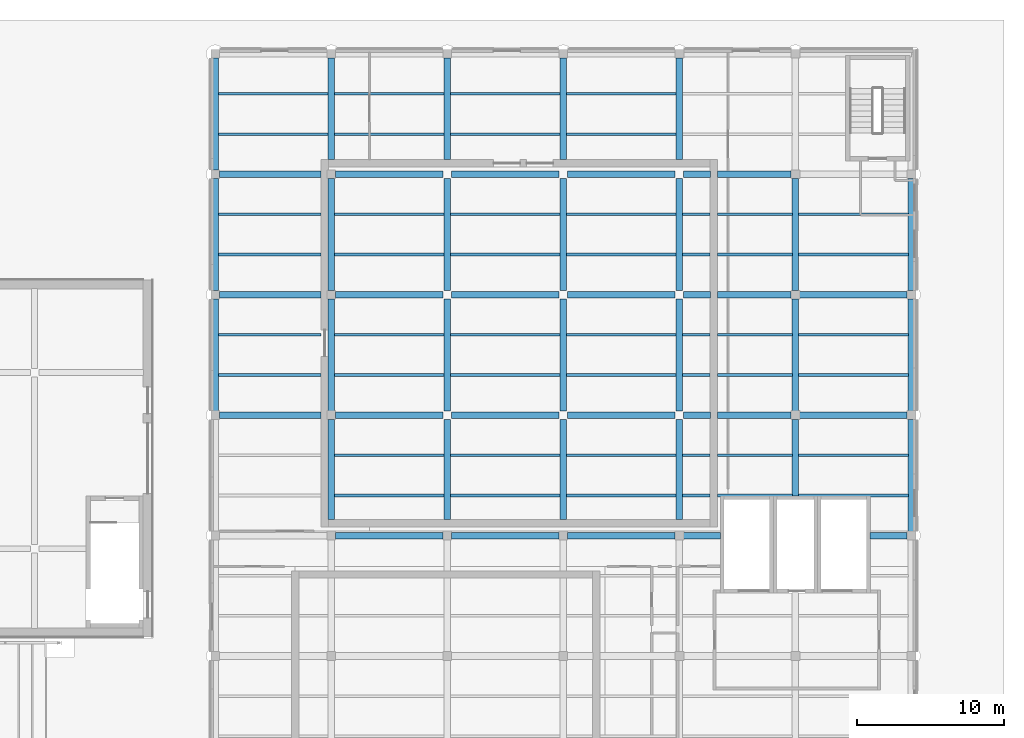
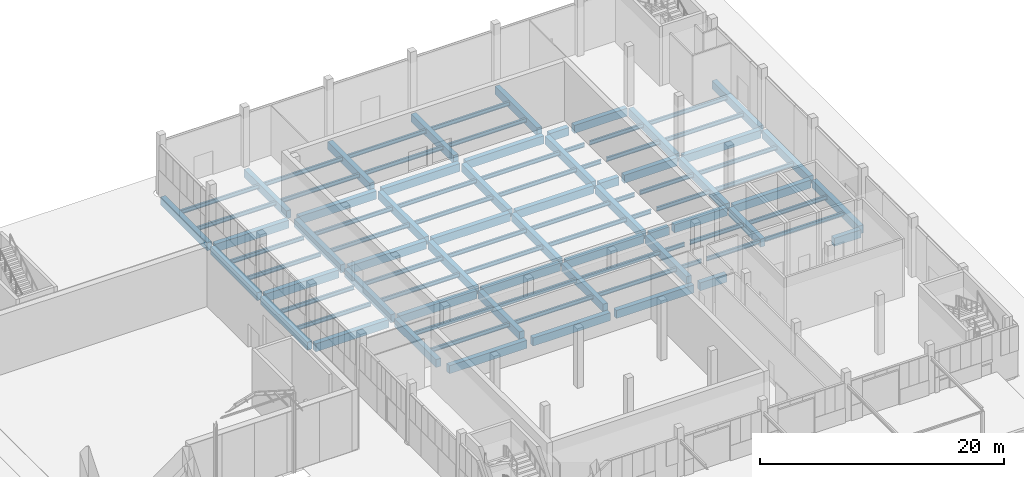
# One storey, part 61 of 155: 98 beams.
"""IFC4 building model written with IfcOpenShell, lengths in metres."""

import ifcopenshell
import ifcopenshell.guid

model = None  # the IFC model being written
_history = None  # IfcOwnerHistory: only IFC2X3 demands one
_inside = {}  # id of a spatial element -> (the spatial element, [elements in it])
_under = {}  # id of a project, library or spatial element -> (it, [spatial elements below it])
_declared = {}  # id of a project -> (the project, [libraries it declares])
_typed = {}  # id of a type object -> (the type object, [elements of that type])
_made_of = {}  # id of a material, layer set ... -> (it, [elements and type objects made of it])


def new_model(schema):
    """Start an empty IFC model of exactly this schema.

    Asked for "IFC4X3", IfcOpenShell would pick the latest addendum, in which some entities
    have other attributes; the version numbers below select the first issue.
    IFC2X3 requires an IfcOwnerHistory on every rooted entity: one is made here for all.
    """
    global model, _history
    if schema == "IFC4X3":
        model = ifcopenshell.file(schema_version=(4, 3, 0, 0))
    else:
        model = ifcopenshell.file(schema=schema)
    _inside.clear()
    _under.clear()
    _declared.clear()
    _typed.clear()
    _made_of.clear()
    _history = None
    if model.schema == "IFC2X3":
        org = make("IfcOrganization", Name="unknown")
        user = make(
            "IfcPersonAndOrganization",
            ThePerson=make("IfcPerson", FamilyName="unknown"),
            TheOrganization=org,
        )
        app = make(
            "IfcApplication",
            ApplicationDeveloper=org,
            Version="unknown",
            ApplicationFullName="unknown",
            ApplicationIdentifier="unknown",
        )
        _history = make(
            "IfcOwnerHistory",
            OwningUser=user,
            OwningApplication=app,
            ChangeAction="ADDED",
            CreationDate=0,
        )
    return model


def make(cls, **values):
    """One entity of the class cls with the attributes given. An attribute that is None is left unset."""
    return model.create_entity(
        cls, **{name: value for name, value in values.items() if value is not None}
    )


def rooted(cls, **values):
    """An entity with a GlobalId (a new one), such as an element, a storey or a relation."""
    return make(cls, GlobalId=ifcopenshell.guid.new(), OwnerHistory=_history, **values)


def si_unit(unit_type, name, prefix=None):
    """IfcSIUnit, for example si_unit("LENGTHUNIT", "METRE", prefix="MILLI")."""
    return make("IfcSIUnit", UnitType=unit_type, Prefix=prefix, Name=name)


def assignment(units):
    """IfcUnitAssignment: the units of a project."""
    return None if units is None else make("IfcUnitAssignment", Units=units)


def point(xyz):
    """IfcCartesianPoint."""
    return None if xyz is None else make("IfcCartesianPoint", Coordinates=xyz)


def direction(xyz):
    """IfcDirection."""
    return None if xyz is None else make("IfcDirection", DirectionRatios=xyz)


def frame(location, z_axis=None, x_axis=None):
    """IfcAxis2Placement3D, a coordinate frame: its origin and axes. An axis left out is left unset."""
    return make(
        "IfcAxis2Placement3D",
        Location=point(location),
        Axis=direction(z_axis),
        RefDirection=direction(x_axis),
    )


def frame_2d(location, x_axis=None):
    """IfcAxis2Placement2D, a coordinate frame in the plane: its origin and x axis."""
    return make(
        "IfcAxis2Placement2D", Location=point(location), RefDirection=direction(x_axis)
    )


def origin():
    """The frame at (0, 0, 0) with its axes left unset."""
    return frame((0.0, 0.0, 0.0))


def origin_2d():
    """The frame at (0, 0) in the plane with its x axis left unset."""
    return frame_2d((0.0, 0.0))


def place(relative_to, where):
    """IfcLocalPlacement: puts the frame where relative to a parent placement (None: the world)."""
    return make(
        "IfcLocalPlacement", PlacementRelTo=relative_to, RelativePlacement=where
    )


def context(
    kind, dimensions, precision=None, world=None, true_north=None, identifier=None
):
    """IfcGeometricRepresentationContext, for example the 3D "Model" context."""
    return make(
        "IfcGeometricRepresentationContext",
        ContextIdentifier=identifier,
        ContextType=kind,
        CoordinateSpaceDimension=dimensions,
        Precision=precision,
        WorldCoordinateSystem=world,
        TrueNorth=true_north,
    )


def subcontext(parent, identifier, kind, view, scale=None):
    """IfcGeometricRepresentationSubContext, for example "Body" below "Model"."""
    return make(
        "IfcGeometricRepresentationSubContext",
        ContextIdentifier=identifier,
        ContextType=kind,
        ParentContext=parent,
        TargetScale=scale,
        TargetView=view,
    )


def project(units=None, contexts=None):
    """IfcProject with its units and contexts."""
    return rooted(
        "IfcProject",
        Name="project",
        RepresentationContexts=contexts,
        UnitsInContext=assignment(units),
    )


def spatial(cls, under=None, at=None, **own):
    """A site, building, storey or space (cls), placed at a placement, below another one or the project."""
    s = rooted(cls, ObjectPlacement=at, **own)
    if under is not None:
        _under.setdefault(under.id(), (under, []))[1].append(s)
    return s


def profile(cls, at=None, kind="AREA", **sizes):
    """A parametric profile (cls). Its sizes go by their IFC names, for example OverallWidth=200.0."""
    return make(cls, ProfileType=kind, Position=at, **sizes)


def rectangle(**sizes):
    """IfcRectangleProfileDef."""
    return profile("IfcRectangleProfileDef", **sizes)


def i_section(**sizes):
    """IfcIShapeProfileDef."""
    return profile("IfcIShapeProfileDef", **sizes)


def extrude(swept, where, along, depth):
    """IfcExtrudedAreaSolid: the profile swept, set in the frame where, extruded along a direction by depth."""
    return make(
        "IfcExtrudedAreaSolid",
        SweptArea=swept,
        Position=where,
        ExtrudedDirection=direction(along),
        Depth=depth,
    )


def shape(context_of_items, identifier, shape_type, items):
    """IfcShapeRepresentation: the items that make up one representation, for example the "Body"."""
    return make(
        "IfcShapeRepresentation",
        ContextOfItems=context_of_items,
        RepresentationIdentifier=identifier,
        RepresentationType=shape_type,
        Items=items,
    )


def material(Name=None, Category=None):
    """IfcMaterial."""
    return make("IfcMaterial", Name=Name, Category=Category)


def material_profile(
    of_material, cross_section, Name=None, Category=None, Priority=None
):
    """IfcMaterialProfile: a cross section and its material."""
    return make(
        "IfcMaterialProfile",
        Name=Name,
        Material=of_material,
        Profile=cross_section,
        Priority=Priority,
        Category=Category,
    )


def profile_set(profiles, Name=None, composite=None):
    """IfcMaterialProfileSet."""
    return make(
        "IfcMaterialProfileSet",
        Name=Name,
        MaterialProfiles=profiles,
        CompositeProfile=composite,
    )


def made_of(thing, what):
    """Note that an element or type object is made of a material, layer set ...; save() writes the relation."""
    if what is not None:
        _made_of.setdefault(what.id(), (what, []))[1].append(thing)
    return thing


def type_object(cls, material=None, **own):
    """A type object (cls), such as IfcWallType, which elements share."""
    return made_of(rooted(cls, **own), material)


def element(
    cls,
    number,
    at=None,
    inside=None,
    cuts=None,
    type_object=None,
    material=None,
    context=None,
    identifier="Body",
    shape_type=None,
    held_by="IfcProductDefinitionShape",
    body=None,
    shapes=None,
    **own,
):
    """One element of the class cls, such as IfcWall. Its Tag is "e" and its number.

    at: its placement. inside: the storey or other place that contains it. cuts: it is an
    opening in that element (IfcRelVoidsElement). A single representation is given by context,
    identifier, shape_type and body (its items); several are given by shapes. held_by: the class
    of the entity that holds the representations. save() writes the other relations.
    """
    e = rooted(cls, Tag="e%d" % number, ObjectPlacement=at, **own)
    if body is not None:
        shapes = [shape(context, identifier, shape_type, body)]
    if shapes is not None:
        e.Representation = make(held_by, Representations=shapes)
    if inside is not None:
        _inside.setdefault(inside.id(), (inside, []))[1].append(e)
    if cuts is not None:
        rooted(
            "IfcRelVoidsElement", RelatingBuildingElement=cuts, RelatedOpeningElement=e
        )
    if type_object is not None:
        _typed.setdefault(type_object.id(), (type_object, []))[1].append(e)
    return made_of(e, material)


def aggregate(whole, parts):
    """IfcRelAggregates: a whole, such as a stair, and the parts it consists of."""
    return rooted("IfcRelAggregates", RelatingObject=whole, RelatedObjects=parts)


def save(model, path):
    """Write the relations noted so far, then the file.

    IfcRelAggregates (storeys below a building ...), IfcRelContainedInSpatialStructure (elements
    in a storey), IfcRelDefinesByType, IfcRelAssociatesMaterial and IfcRelDeclares: one each for
    every whole, place, type object, material and project.
    """
    for whole, parts in _under.values():
        aggregate(whole, parts)
    for where, things in _inside.values():
        rooted(
            "IfcRelContainedInSpatialStructure",
            RelatedElements=things,
            RelatingStructure=where,
        )
    for kind, things in _typed.values():
        rooted("IfcRelDefinesByType", RelatedObjects=things, RelatingType=kind)
    for what, things in _made_of.values():
        rooted("IfcRelAssociatesMaterial", RelatedObjects=things, RelatingMaterial=what)
    for by, libraries in _declared.values():
        rooted("IfcRelDeclares", RelatingContext=by, RelatedDefinitions=libraries)
    model.write(path)


model = new_model("IFC4")

# Units and contexts
model_context = context("Model", 3, precision=1e-05, world=origin(), true_north=direction((0.0, 1.0)))
body_context = subcontext(model_context, "Body", "Model", "MODEL_VIEW")
ifc_project = project(units=[si_unit("LENGTHUNIT", "METRE"), si_unit("AREAUNIT", "SQUARE_METRE"), si_unit("VOLUMEUNIT", "CUBIC_METRE"), si_unit("PLANEANGLEUNIT", "RADIAN"), si_unit("MASSUNIT", "GRAM", prefix="KILO")], contexts=[model_context])

# Site, building, storey
site_placement = place(None, origin())
site = spatial("IfcSite", under=ifc_project, at=site_placement, CompositionType="ELEMENT")
building_placement = place(site_placement, origin())
building = spatial("IfcBuilding", under=site, at=building_placement, Name="Lunette Opera House", CompositionType="ELEMENT")
storey_placement = place(building_placement, origin())
storey = spatial("IfcBuildingStorey", under=building, at=storey_placement, Name="L00", CompositionType="ELEMENT", Elevation=0.0)

# Beams
ifc_material_1 = material(Name="Concrete C35/45", Category="concrete")
ifc_material_profile_1 = material_profile(ifc_material_1, rectangle(XDim=0.449951171875, YDim=0.800048828125, at=origin_2d()), Name="RC BEAM 450X800")
ifc_profile_set_1 = profile_set([ifc_material_profile_1], Name="Concrete C35/45")
beam_type_1 = type_object("IfcBeamType", Name="RC BEAM 450X800", PredefinedType="BEAM", material=ifc_profile_set_1)
beam_1_placement = place(storey_placement, frame((136.300048828125, 111.389892578125, -0.550048828125), z_axis=(0.0, 1.0, 0.0), x_axis=(-1.0, 0.0, 0.0)))
element("IfcBeam", 1, at=beam_1_placement, inside=storey, type_object=beam_type_1, Name="beam-WW-L00-L00-GY04", PredefinedType="BEAM", context=body_context, shape_type="SweptSolid", body=[
    extrude(rectangle(XDim=0.449951171875, YDim=0.800048828125, at=origin_2d()), origin(), (0.0, 0.0, 1.0), 7.6201171875),
])
for number, where, z_axis, x_axis, name in (
    (2, (136.300048828125, 119.590087890625, -0.550048828125), (0.0, 1.0, 0.0), (-1.0, 0.0, 0.0), "beam-WW-L00-L00-GY05"),
    (3, (136.300048828125, 127.7900390625, -0.550048828125), (0.0, 1.0, 0.0), (-1.0, 0.0, 0.0), "beam-WW-L00-L00-GY06"),
):
    element("IfcBeam", number, at=place(storey_placement, frame(where, z_axis=z_axis, x_axis=x_axis)), inside=storey, type_object=beam_type_1, Name=name, PredefinedType="BEAM", context=body_context, shape_type="SweptSolid", body=[
        extrude(rectangle(XDim=0.449951171875, YDim=0.800048828125, at=origin_2d()), origin(), (0.0, 0.0, 1.0), 7.619873046875),
    ])
beam_2_placement = place(storey_placement, frame((144.199951171875, 103.989990234375, -0.550048828125), z_axis=(0.0, 1.0, 0.0), x_axis=(-1.0, 0.0, 0.0)))
element("IfcBeam", 4, at=beam_2_placement, inside=storey, type_object=beam_type_1, Name="beam-WW-L00-L00-GY13", PredefinedType="BEAM", context=body_context, shape_type="SweptSolid", body=[
    extrude(rectangle(XDim=0.449951171875, YDim=0.800048828125, at=origin_2d()), origin(), (0.0, 0.0, 1.0), 6.820068359375),
])
beam_3_placement = place(storey_placement, frame((144.199951171875, 111.389892578125, -0.550048828125), z_axis=(0.0, 1.0, 0.0), x_axis=(-1.0, 0.0, 0.0)))
element("IfcBeam", 5, at=beam_3_placement, inside=storey, type_object=beam_type_1, Name="beam-WW-L00-L00-GY14", PredefinedType="BEAM", context=body_context, shape_type="SweptSolid", body=[
    extrude(rectangle(XDim=0.449951171875, YDim=0.800048828125, at=origin_2d()), origin(), (0.0, 0.0, 1.0), 7.6201171875),
])
beam_4_placement = place(storey_placement, frame((144.199951171875, 119.590087890625, -0.550048828125), z_axis=(0.0, 1.0, 0.0), x_axis=(-1.0, 0.0, 0.0)))
element("IfcBeam", 6, at=beam_4_placement, inside=storey, type_object=beam_type_1, Name="beam-WW-L00-L00-GY15", PredefinedType="BEAM", context=body_context, shape_type="SweptSolid", body=[
    extrude(rectangle(XDim=0.449951171875, YDim=0.800048828125, at=origin_2d()), origin(), (0.0, 0.0, 1.0), 7.619873046875),
])
beam_5_placement = place(storey_placement, frame((144.199951171875, 128.489990234375, -0.550048828125), z_axis=(0.0, 1.0, 0.0), x_axis=(-1.0, 0.0, 0.0)))
element("IfcBeam", 7, at=beam_5_placement, inside=storey, type_object=beam_type_1, Name="beam-WW-L00-L00-GY16", PredefinedType="BEAM", context=body_context, shape_type="SweptSolid", body=[
    extrude(rectangle(XDim=0.449951171875, YDim=0.800048828125, at=origin_2d()), origin(), (0.0, 0.0, 1.0), 6.919921875),
])
beam_6_placement = place(storey_placement, frame((152.10009765625, 103.989990234375, -0.550048828125), z_axis=(0.0, 1.0, 0.0), x_axis=(-1.0, 0.0, 0.0)))
element("IfcBeam", 8, at=beam_6_placement, inside=storey, type_object=beam_type_1, Name="beam-WW-L00-L00-GY23", PredefinedType="BEAM", context=body_context, shape_type="SweptSolid", body=[
    extrude(rectangle(XDim=0.449951171875, YDim=0.800048828125, at=origin_2d()), origin(), (0.0, 0.0, 1.0), 6.820068359375),
])
beam_7_placement = place(storey_placement, frame((152.10009765625, 111.389892578125, -0.550048828125), z_axis=(0.0, 1.0, 0.0), x_axis=(-1.0, 0.0, 0.0)))
element("IfcBeam", 9, at=beam_7_placement, inside=storey, type_object=beam_type_1, Name="beam-WW-L00-L00-GY24", PredefinedType="BEAM", context=body_context, shape_type="SweptSolid", body=[
    extrude(rectangle(XDim=0.449951171875, YDim=0.800048828125, at=origin_2d()), origin(), (0.0, 0.0, 1.0), 7.6201171875),
])
beam_8_placement = place(storey_placement, frame((152.10009765625, 119.590087890625, -0.550048828125), z_axis=(0.0, 1.0, 0.0), x_axis=(-1.0, 0.0, 0.0)))
element("IfcBeam", 10, at=beam_8_placement, inside=storey, type_object=beam_type_1, Name="beam-WW-L00-L00-GY25", PredefinedType="BEAM", context=body_context, shape_type="SweptSolid", body=[
    extrude(rectangle(XDim=0.449951171875, YDim=0.800048828125, at=origin_2d()), origin(), (0.0, 0.0, 1.0), 7.619873046875),
])
beam_9_placement = place(storey_placement, frame((152.10009765625, 128.489990234375, -0.550048828125), z_axis=(0.0, 1.0, 0.0), x_axis=(-1.0, 0.0, 0.0)))
element("IfcBeam", 11, at=beam_9_placement, inside=storey, type_object=beam_type_1, Name="beam-WW-L00-L00-GY26", PredefinedType="BEAM", context=body_context, shape_type="SweptSolid", body=[
    extrude(rectangle(XDim=0.449951171875, YDim=0.800048828125, at=origin_2d()), origin(), (0.0, 0.0, 1.0), 6.919921875),
])
beam_10_placement = place(storey_placement, frame((160.0, 103.989990234375, -0.550048828125), z_axis=(0.0, 1.0, 0.0), x_axis=(-1.0, 0.0, 0.0)))
element("IfcBeam", 12, at=beam_10_placement, inside=storey, type_object=beam_type_1, Name="beam-WW-L00-L00-GY33", PredefinedType="BEAM", context=body_context, shape_type="SweptSolid", body=[
    extrude(rectangle(XDim=0.449951171875, YDim=0.800048828125, at=origin_2d()), origin(), (0.0, 0.0, 1.0), 6.820068359375),
])
beam_11_placement = place(storey_placement, frame((160.0, 111.389892578125, -0.550048828125), z_axis=(0.0, 1.0, 0.0), x_axis=(-1.0, 0.0, 0.0)))
element("IfcBeam", 13, at=beam_11_placement, inside=storey, type_object=beam_type_1, Name="beam-WW-L00-L00-GY34", PredefinedType="BEAM", context=body_context, shape_type="SweptSolid", body=[
    extrude(rectangle(XDim=0.449951171875, YDim=0.800048828125, at=origin_2d()), origin(), (0.0, 0.0, 1.0), 7.6201171875),
])
beam_12_placement = place(storey_placement, frame((160.0, 119.590087890625, -0.550048828125), z_axis=(0.0, 1.0, 0.0), x_axis=(-1.0, 0.0, 0.0)))
element("IfcBeam", 14, at=beam_12_placement, inside=storey, type_object=beam_type_1, Name="beam-WW-L00-L00-GY35", PredefinedType="BEAM", context=body_context, shape_type="SweptSolid", body=[
    extrude(rectangle(XDim=0.449951171875, YDim=0.800048828125, at=origin_2d()), origin(), (0.0, 0.0, 1.0), 7.619873046875),
])
beam_13_placement = place(storey_placement, frame((160.0, 128.489990234375, -0.550048828125), z_axis=(0.0, 1.0, 0.0), x_axis=(-1.0, 0.0, 0.0)))
element("IfcBeam", 15, at=beam_13_placement, inside=storey, type_object=beam_type_1, Name="beam-WW-L00-L00-GY36", PredefinedType="BEAM", context=body_context, shape_type="SweptSolid", body=[
    extrude(rectangle(XDim=0.449951171875, YDim=0.800048828125, at=origin_2d()), origin(), (0.0, 0.0, 1.0), 6.919921875),
])
beam_14_placement = place(storey_placement, frame((167.89990234375, 103.989990234375, -0.550048828125), z_axis=(0.0, 1.0, 0.0), x_axis=(-1.0, 0.0, 0.0)))
element("IfcBeam", 16, at=beam_14_placement, inside=storey, type_object=beam_type_1, Name="beam-WW-L00-L00-GY43", PredefinedType="BEAM", context=body_context, shape_type="SweptSolid", body=[
    extrude(rectangle(XDim=0.449951171875, YDim=0.800048828125, at=origin_2d()), origin(), (0.0, 0.0, 1.0), 6.820068359375),
])
beam_15_placement = place(storey_placement, frame((167.89990234375, 111.389892578125, -0.550048828125), z_axis=(0.0, 1.0, 0.0), x_axis=(-1.0, 0.0, 0.0)))
element("IfcBeam", 17, at=beam_15_placement, inside=storey, type_object=beam_type_1, Name="beam-WW-L00-L00-GY44", PredefinedType="BEAM", context=body_context, shape_type="SweptSolid", body=[
    extrude(rectangle(XDim=0.449951171875, YDim=0.800048828125, at=origin_2d()), origin(), (0.0, 0.0, 1.0), 7.6201171875),
])
beam_16_placement = place(storey_placement, frame((167.89990234375, 119.590087890625, -0.550048828125), z_axis=(0.0, 1.0, 0.0), x_axis=(-1.0, 0.0, 0.0)))
element("IfcBeam", 18, at=beam_16_placement, inside=storey, type_object=beam_type_1, Name="beam-WW-L00-L00-GY45", PredefinedType="BEAM", context=body_context, shape_type="SweptSolid", body=[
    extrude(rectangle(XDim=0.449951171875, YDim=0.800048828125, at=origin_2d()), origin(), (0.0, 0.0, 1.0), 7.619873046875),
])
beam_17_placement = place(storey_placement, frame((167.89990234375, 128.489990234375, -0.550048828125), z_axis=(0.0, 1.0, 0.0), x_axis=(-1.0, 0.0, 0.0)))
element("IfcBeam", 19, at=beam_17_placement, inside=storey, type_object=beam_type_1, Name="beam-WW-L00-L00-GY46", PredefinedType="BEAM", context=body_context, shape_type="SweptSolid", body=[
    extrude(rectangle(XDim=0.449951171875, YDim=0.800048828125, at=origin_2d()), origin(), (0.0, 0.0, 1.0), 6.919921875),
])
beam_18_placement = place(storey_placement, frame((175.800048828125, 105.590087890625, -0.550048828125), z_axis=(0.0, 1.0, 0.0), x_axis=(-1.0, 0.0, 0.0)))
element("IfcBeam", 20, at=beam_18_placement, inside=storey, type_object=beam_type_1, Name="beam-WW-L00-L00-GY53", PredefinedType="BEAM", context=body_context, shape_type="SweptSolid", body=[
    extrude(rectangle(XDim=0.449951171875, YDim=0.800048828125, at=origin_2d()), origin(), (0.0, 0.0, 1.0), 5.219970703125),
])
beam_19_placement = place(storey_placement, frame((175.800048828125, 111.389892578125, -0.550048828125), z_axis=(0.0, 1.0, 0.0), x_axis=(-1.0, 0.0, 0.0)))
element("IfcBeam", 21, at=beam_19_placement, inside=storey, type_object=beam_type_1, Name="beam-WW-L00-L00-GY54", PredefinedType="BEAM", context=body_context, shape_type="SweptSolid", body=[
    extrude(rectangle(XDim=0.449951171875, YDim=0.800048828125, at=origin_2d()), origin(), (0.0, 0.0, 1.0), 7.6201171875),
])
beam_20_placement = place(storey_placement, frame((175.800048828125, 119.590087890625, -0.550048828125), z_axis=(0.0, 1.0, 0.0), x_axis=(-1.0, 0.0, 0.0)))
element("IfcBeam", 22, at=beam_20_placement, inside=storey, type_object=beam_type_1, Name="beam-WW-L00-L00-GY55", PredefinedType="BEAM", context=body_context, shape_type="SweptSolid", body=[
    extrude(rectangle(XDim=0.449951171875, YDim=0.800048828125, at=origin_2d()), origin(), (0.0, 0.0, 1.0), 7.619873046875),
])
for number, where, z_axis, x_axis, name in (
    (23, (183.699951171875, 103.18994140625, -0.550048828125), (0.0, 1.0, 0.0), (-1.0, 0.0, 0.0), "beam-WW-L00-L00-GY63"),
    (24, (183.699951171875, 111.389892578125, -0.550048828125), (0.0, 1.0, 0.0), (-1.0, 0.0, 0.0), "beam-WW-L00-L00-GY64"),
):
    element("IfcBeam", number, at=place(storey_placement, frame(where, z_axis=z_axis, x_axis=x_axis)), inside=storey, type_object=beam_type_1, Name=name, PredefinedType="BEAM", context=body_context, shape_type="SweptSolid", body=[
        extrude(rectangle(XDim=0.449951171875, YDim=0.800048828125, at=origin_2d()), origin(), (0.0, 0.0, 1.0), 7.6201171875),
    ])
beam_21_placement = place(storey_placement, frame((183.699951171875, 119.590087890625, -0.550048828125), z_axis=(0.0, 1.0, 0.0), x_axis=(-1.0, 0.0, 0.0)))
element("IfcBeam", 25, at=beam_21_placement, inside=storey, type_object=beam_type_1, Name="beam-WW-L00-L00-GY65", PredefinedType="BEAM", context=body_context, shape_type="SweptSolid", body=[
    extrude(rectangle(XDim=0.449951171875, YDim=0.800048828125, at=origin_2d()), origin(), (0.0, 0.0, 1.0), 7.619873046875),
])
for number, where, z_axis, x_axis, name in (
    (26, (144.489990234375, 102.89990234375, -0.550048828125), (1.0, 0.0, 0.0), (0.0, 1.0, 0.0), "beam-WW-L00-L00-GX13"),
    (27, (152.389892578125, 102.89990234375, -0.550048828125), (1.0, 0.0, 0.0), (0.0, 1.0, 0.0), "beam-WW-L00-L00-GX23"),
    (28, (160.2900390625, 102.89990234375, -0.550048828125), (1.0, 0.0, 0.0), (0.0, 1.0, 0.0), "beam-WW-L00-L00-GX33"),
):
    element("IfcBeam", number, at=place(storey_placement, frame(where, z_axis=z_axis, x_axis=x_axis)), inside=storey, type_object=beam_type_1, Name=name, PredefinedType="BEAM", context=body_context, shape_type="SweptSolid", body=[
        extrude(rectangle(XDim=0.449951171875, YDim=0.800048828125, at=origin_2d()), origin(), (0.0, 0.0, 1.0), 7.320068359375),
    ])
for number, where, z_axis, x_axis, name in (
    (29, (168.18994140625, 102.89990234375, -0.550048828125), (1.0, 0.0, 0.0), (0.0, 1.0, 0.0), "beam-WW-L00-L00-GX43"),
    (30, (180.889892578125, 102.89990234375, -0.550048828125), (1.0, 0.0, 0.0), (0.0, 1.0, 0.0), "beam-WW-L00-L00-GX53"),
):
    element("IfcBeam", number, at=place(storey_placement, frame(where, z_axis=z_axis, x_axis=x_axis)), inside=storey, type_object=beam_type_1, Name=name, PredefinedType="BEAM", context=body_context, shape_type="SweptSolid", body=[
        extrude(rectangle(XDim=0.449951171875, YDim=0.800048828125, at=origin_2d()), origin(), (0.0, 0.0, 1.0), 2.52001953125),
    ])
beam_22_placement = place(storey_placement, frame((136.590087890625, 111.10009765625, -0.550048828125), z_axis=(1.0, 0.0, 0.0), x_axis=(0.0, 1.0, 0.0)))
element("IfcBeam", 31, at=beam_22_placement, inside=storey, type_object=beam_type_1, Name="beam-WW-L00-L00-GX04", PredefinedType="BEAM", context=body_context, shape_type="SweptSolid", body=[
    extrude(rectangle(XDim=0.449951171875, YDim=0.800048828125, at=origin_2d()), origin(), (0.0, 0.0, 1.0), 6.919921875),
])
for number, where, z_axis, x_axis, name in (
    (32, (144.489990234375, 111.10009765625, -0.550048828125), (1.0, 0.0, 0.0), (0.0, 1.0, 0.0), "beam-WW-L00-L00-GX14"),
    (33, (152.389892578125, 111.10009765625, -0.550048828125), (1.0, 0.0, 0.0), (0.0, 1.0, 0.0), "beam-WW-L00-L00-GX24"),
    (34, (160.2900390625, 111.10009765625, -0.550048828125), (1.0, 0.0, 0.0), (0.0, 1.0, 0.0), "beam-WW-L00-L00-GX34"),
):
    element("IfcBeam", number, at=place(storey_placement, frame(where, z_axis=z_axis, x_axis=x_axis)), inside=storey, type_object=beam_type_1, Name=name, PredefinedType="BEAM", context=body_context, shape_type="SweptSolid", body=[
        extrude(rectangle(XDim=0.449951171875, YDim=0.800048828125, at=origin_2d()), origin(), (0.0, 0.0, 1.0), 7.320068359375),
    ])
beam_23_placement = place(storey_placement, frame((168.18994140625, 111.10009765625, -0.550048828125), z_axis=(1.0, 0.0, 0.0), x_axis=(0.0, 1.0, 0.0)))
element("IfcBeam", 35, at=beam_23_placement, inside=storey, type_object=beam_type_1, Name="beam-WW-L00-L00-GX44", PredefinedType="BEAM", context=body_context, shape_type="SweptSolid", body=[
    extrude(rectangle(XDim=0.449951171875, YDim=0.800048828125, at=origin_2d()), origin(), (0.0, 0.0, 1.0), 1.820068359375),
])
beam_24_placement = place(storey_placement, frame((170.489990234375, 111.10009765625, -0.550048828125), z_axis=(1.0, 0.0, 0.0), x_axis=(0.0, 1.0, 0.0)))
element("IfcBeam", 36, at=beam_24_placement, inside=storey, type_object=beam_type_1, Name="beam-WW-L00-L00-GX44-1", PredefinedType="BEAM", context=body_context, shape_type="SweptSolid", body=[
    extrude(rectangle(XDim=0.449951171875, YDim=0.800048828125, at=origin_2d()), origin(), (0.0, 0.0, 1.0), 5.02001953125),
])
beam_25_placement = place(storey_placement, frame((176.090087890625, 111.10009765625, -0.550048828125), z_axis=(1.0, 0.0, 0.0), x_axis=(0.0, 1.0, 0.0)))
element("IfcBeam", 37, at=beam_25_placement, inside=storey, type_object=beam_type_1, Name="beam-WW-L00-L00-GX54", PredefinedType="BEAM", context=body_context, shape_type="SweptSolid", body=[
    extrude(rectangle(XDim=0.449951171875, YDim=0.800048828125, at=origin_2d()), origin(), (0.0, 0.0, 1.0), 7.31982421875),
])
beam_26_placement = place(storey_placement, frame((136.590087890625, 119.300048828125, -0.550048828125), z_axis=(1.0, 0.0, 0.0), x_axis=(0.0, 1.0, 0.0)))
element("IfcBeam", 38, at=beam_26_placement, inside=storey, type_object=beam_type_1, Name="beam-WW-L00-L00-GX05", PredefinedType="BEAM", context=body_context, shape_type="SweptSolid", body=[
    extrude(rectangle(XDim=0.449951171875, YDim=0.800048828125, at=origin_2d()), origin(), (0.0, 0.0, 1.0), 6.919921875),
])
for number, where, z_axis, x_axis, name in (
    (39, (144.489990234375, 119.300048828125, -0.550048828125), (1.0, 0.0, 0.0), (0.0, 1.0, 0.0), "beam-WW-L00-L00-GX15"),
    (40, (152.389892578125, 119.300048828125, -0.550048828125), (1.0, 0.0, 0.0), (0.0, 1.0, 0.0), "beam-WW-L00-L00-GX25"),
    (41, (160.2900390625, 119.300048828125, -0.550048828125), (1.0, 0.0, 0.0), (0.0, 1.0, 0.0), "beam-WW-L00-L00-GX35"),
):
    element("IfcBeam", number, at=place(storey_placement, frame(where, z_axis=z_axis, x_axis=x_axis)), inside=storey, type_object=beam_type_1, Name=name, PredefinedType="BEAM", context=body_context, shape_type="SweptSolid", body=[
        extrude(rectangle(XDim=0.449951171875, YDim=0.800048828125, at=origin_2d()), origin(), (0.0, 0.0, 1.0), 7.320068359375),
    ])
beam_27_placement = place(storey_placement, frame((168.18994140625, 119.300048828125, -0.550048828125), z_axis=(1.0, 0.0, 0.0), x_axis=(0.0, 1.0, 0.0)))
element("IfcBeam", 42, at=beam_27_placement, inside=storey, type_object=beam_type_1, Name="beam-WW-L00-L00-GX45", PredefinedType="BEAM", context=body_context, shape_type="SweptSolid", body=[
    extrude(rectangle(XDim=0.449951171875, YDim=0.800048828125, at=origin_2d()), origin(), (0.0, 0.0, 1.0), 1.820068359375),
])
beam_28_placement = place(storey_placement, frame((170.489990234375, 119.300048828125, -0.550048828125), z_axis=(1.0, 0.0, 0.0), x_axis=(0.0, 1.0, 0.0)))
element("IfcBeam", 43, at=beam_28_placement, inside=storey, type_object=beam_type_1, Name="beam-WW-L00-L00-GX45-1", PredefinedType="BEAM", context=body_context, shape_type="SweptSolid", body=[
    extrude(rectangle(XDim=0.449951171875, YDim=0.800048828125, at=origin_2d()), origin(), (0.0, 0.0, 1.0), 5.02001953125),
])
beam_29_placement = place(storey_placement, frame((176.090087890625, 119.300048828125, -0.550048828125), z_axis=(1.0, 0.0, 0.0), x_axis=(0.0, 1.0, 0.0)))
element("IfcBeam", 44, at=beam_29_placement, inside=storey, type_object=beam_type_1, Name="beam-WW-L00-L00-GX55", PredefinedType="BEAM", context=body_context, shape_type="SweptSolid", body=[
    extrude(rectangle(XDim=0.449951171875, YDim=0.800048828125, at=origin_2d()), origin(), (0.0, 0.0, 1.0), 7.31982421875),
])
beam_30_placement = place(storey_placement, frame((136.590087890625, 127.5, -0.550048828125), z_axis=(1.0, 0.0, 0.0), x_axis=(0.0, 1.0, 0.0)))
element("IfcBeam", 45, at=beam_30_placement, inside=storey, type_object=beam_type_1, Name="beam-WW-L00-L00-GX06", PredefinedType="BEAM", context=body_context, shape_type="SweptSolid", body=[
    extrude(rectangle(XDim=0.449951171875, YDim=0.800048828125, at=origin_2d()), origin(), (0.0, 0.0, 1.0), 6.919921875),
])
for number, where, z_axis, x_axis, name in (
    (46, (144.489990234375, 127.5, -0.550048828125), (1.0, 0.0, 0.0), (0.0, 1.0, 0.0), "beam-WW-L00-L00-GX16"),
    (47, (152.389892578125, 127.5, -0.550048828125), (1.0, 0.0, 0.0), (0.0, 1.0, 0.0), "beam-WW-L00-L00-GX26"),
    (48, (160.2900390625, 127.5, -0.550048828125), (1.0, 0.0, 0.0), (0.0, 1.0, 0.0), "beam-WW-L00-L00-GX36"),
):
    element("IfcBeam", number, at=place(storey_placement, frame(where, z_axis=z_axis, x_axis=x_axis)), inside=storey, type_object=beam_type_1, Name=name, PredefinedType="BEAM", context=body_context, shape_type="SweptSolid", body=[
        extrude(rectangle(XDim=0.449951171875, YDim=0.800048828125, at=origin_2d()), origin(), (0.0, 0.0, 1.0), 7.320068359375),
    ])
beam_31_placement = place(storey_placement, frame((168.18994140625, 127.5, -0.550048828125), z_axis=(1.0, 0.0, 0.0), x_axis=(0.0, 1.0, 0.0)))
element("IfcBeam", 49, at=beam_31_placement, inside=storey, type_object=beam_type_1, Name="beam-WW-L00-L00-GX46", PredefinedType="BEAM", context=body_context, shape_type="SweptSolid", body=[
    extrude(rectangle(XDim=0.449951171875, YDim=0.800048828125, at=origin_2d()), origin(), (0.0, 0.0, 1.0), 1.820068359375),
])
beam_32_placement = place(storey_placement, frame((170.489990234375, 127.5, -0.550048828125), z_axis=(1.0, 0.0, 0.0), x_axis=(0.0, 1.0, 0.0)))
element("IfcBeam", 50, at=beam_32_placement, inside=storey, type_object=beam_type_1, Name="beam-WW-L00-L00-GX46-1", PredefinedType="BEAM", context=body_context, shape_type="SweptSolid", body=[
    extrude(rectangle(XDim=0.449951171875, YDim=0.800048828125, at=origin_2d()), origin(), (0.0, 0.0, 1.0), 5.02001953125),
])
ifc_material_2 = material(Name="Steel S355", Category="steel")
ifc_material_profile_2 = material_profile(ifc_material_2, i_section(OverallWidth=0.179931640625, OverallDepth=0.39990234375, WebThickness=0.008544921875, FlangeThickness=0.013427734375, FilletRadius=0.02099609375, at=origin_2d()), Name="IPE 400")
ifc_profile_set_2 = profile_set([ifc_material_profile_2], Name="Steel S355")
beam_type_2 = type_object("IfcBeamType", Name="STEEL BEAM IPE 400", PredefinedType="BEAM", material=ifc_profile_set_2)
for number, where, z_axis, x_axis, name in (
    (51, (136.514892578125, 113.8330078125, -0.35009765625), (1.0, 0.0, 0.0), (0.0, 1.0, 0.0), "beam-WW-L00-L00-SX041"),
    (52, (136.514892578125, 116.56689453125, -0.35009765625), (1.0, 0.0, 0.0), (0.0, 1.0, 0.0), "beam-WW-L00-L00-SX042"),
    (53, (136.514892578125, 122.032958984375, -0.35009765625), (1.0, 0.0, 0.0), (0.0, 1.0, 0.0), "beam-WW-L00-L00-SX051"),
    (54, (136.514892578125, 124.76708984375, -0.35009765625), (1.0, 0.0, 0.0), (0.0, 1.0, 0.0), "beam-WW-L00-L00-SX052"),
):
    element("IfcBeam", number, at=place(storey_placement, frame(where, z_axis=z_axis, x_axis=x_axis)), inside=storey, type_object=beam_type_2, Name=name, PredefinedType="BEAM", context=body_context, shape_type="SweptSolid", body=[
        extrude(i_section(OverallWidth=0.179931640625, OverallDepth=0.39990234375, WebThickness=0.008544921875, FlangeThickness=0.013427734375, FilletRadius=0.02099609375, at=origin_2d()), origin(), (0.0, 0.0, 1.0), 6.985107421875),
    ])
for number, where, z_axis, x_axis, name in (
    (55, (136.514892578125, 130.23291015625, -0.35009765625), (1.0, 0.0, 0.0), (0.0, 1.0, 0.0), "beam-WW-L00-L00-SX061"),
    (56, (136.514892578125, 132.967041015625, -0.35009765625), (1.0, 0.0, 0.0), (0.0, 1.0, 0.0), "beam-WW-L00-L00-SX062"),
):
    element("IfcBeam", number, at=place(storey_placement, frame(where, z_axis=z_axis, x_axis=x_axis)), inside=storey, type_object=beam_type_2, Name=name, PredefinedType="BEAM", context=body_context, shape_type="SweptSolid", body=[
        extrude(i_section(OverallWidth=0.179931640625, OverallDepth=0.39990234375, WebThickness=0.008544921875, FlangeThickness=0.013427734375, FilletRadius=0.02099609375, at=origin_2d()), origin(), (0.0, 0.0, 1.0), 7.47021484375),
    ])
for number, where, z_axis, x_axis, name in (
    (57, (144.4150390625, 105.633056640625, -0.35009765625), (1.0, 0.0, 0.0), (0.0, 1.0, 0.0), "beam-WW-L00-L00-SX131"),
    (58, (144.4150390625, 108.366943359375, -0.35009765625), (1.0, 0.0, 0.0), (0.0, 1.0, 0.0), "beam-WW-L00-L00-SX132"),
    (59, (144.4150390625, 113.8330078125, -0.35009765625), (1.0, 0.0, 0.0), (0.0, 1.0, 0.0), "beam-WW-L00-L00-SX141"),
    (60, (144.4150390625, 116.56689453125, -0.35009765625), (1.0, 0.0, 0.0), (0.0, 1.0, 0.0), "beam-WW-L00-L00-SX142"),
    (61, (144.4150390625, 122.032958984375, -0.35009765625), (1.0, 0.0, 0.0), (0.0, 1.0, 0.0), "beam-WW-L00-L00-SX151"),
    (62, (144.4150390625, 124.76708984375, -0.35009765625), (1.0, 0.0, 0.0), (0.0, 1.0, 0.0), "beam-WW-L00-L00-SX152"),
    (63, (144.4150390625, 130.23291015625, -0.35009765625), (1.0, 0.0, 0.0), (0.0, 1.0, 0.0), "beam-WW-L00-L00-SX161"),
    (64, (144.4150390625, 132.967041015625, -0.35009765625), (1.0, 0.0, 0.0), (0.0, 1.0, 0.0), "beam-WW-L00-L00-SX162"),
    (65, (152.31494140625, 105.633056640625, -0.35009765625), (1.0, 0.0, 0.0), (0.0, 1.0, 0.0), "beam-WW-L00-L00-SX231"),
    (66, (152.31494140625, 108.366943359375, -0.35009765625), (1.0, 0.0, 0.0), (0.0, 1.0, 0.0), "beam-WW-L00-L00-SX232"),
    (67, (152.31494140625, 113.8330078125, -0.35009765625), (1.0, 0.0, 0.0), (0.0, 1.0, 0.0), "beam-WW-L00-L00-SX241"),
    (68, (152.31494140625, 116.56689453125, -0.35009765625), (1.0, 0.0, 0.0), (0.0, 1.0, 0.0), "beam-WW-L00-L00-SX242"),
    (69, (152.31494140625, 122.032958984375, -0.35009765625), (1.0, 0.0, 0.0), (0.0, 1.0, 0.0), "beam-WW-L00-L00-SX251"),
    (70, (152.31494140625, 124.76708984375, -0.35009765625), (1.0, 0.0, 0.0), (0.0, 1.0, 0.0), "beam-WW-L00-L00-SX252"),
    (71, (152.31494140625, 130.23291015625, -0.35009765625), (1.0, 0.0, 0.0), (0.0, 1.0, 0.0), "beam-WW-L00-L00-SX261"),
    (72, (152.31494140625, 132.967041015625, -0.35009765625), (1.0, 0.0, 0.0), (0.0, 1.0, 0.0), "beam-WW-L00-L00-SX262"),
    (73, (160.215087890625, 105.633056640625, -0.35009765625), (1.0, 0.0, 0.0), (0.0, 1.0, 0.0), "beam-WW-L00-L00-SX331"),
    (74, (160.215087890625, 108.366943359375, -0.35009765625), (1.0, 0.0, 0.0), (0.0, 1.0, 0.0), "beam-WW-L00-L00-SX332"),
    (75, (160.215087890625, 113.8330078125, -0.35009765625), (1.0, 0.0, 0.0), (0.0, 1.0, 0.0), "beam-WW-L00-L00-SX341"),
    (76, (160.215087890625, 116.56689453125, -0.35009765625), (1.0, 0.0, 0.0), (0.0, 1.0, 0.0), "beam-WW-L00-L00-SX342"),
    (77, (160.215087890625, 122.032958984375, -0.35009765625), (1.0, 0.0, 0.0), (0.0, 1.0, 0.0), "beam-WW-L00-L00-SX351"),
    (78, (160.215087890625, 124.76708984375, -0.35009765625), (1.0, 0.0, 0.0), (0.0, 1.0, 0.0), "beam-WW-L00-L00-SX352"),
    (79, (160.215087890625, 130.23291015625, -0.35009765625), (1.0, 0.0, 0.0), (0.0, 1.0, 0.0), "beam-WW-L00-L00-SX361"),
    (80, (160.215087890625, 132.967041015625, -0.35009765625), (1.0, 0.0, 0.0), (0.0, 1.0, 0.0), "beam-WW-L00-L00-SX362"),
):
    element("IfcBeam", number, at=place(storey_placement, frame(where, z_axis=z_axis, x_axis=x_axis)), inside=storey, type_object=beam_type_2, Name=name, PredefinedType="BEAM", context=body_context, shape_type="SweptSolid", body=[
        extrude(i_section(OverallWidth=0.179931640625, OverallDepth=0.39990234375, WebThickness=0.008544921875, FlangeThickness=0.013427734375, FilletRadius=0.02099609375, at=origin_2d()), origin(), (0.0, 0.0, 1.0), 7.469970703125),
    ])
beam_33_placement = place(storey_placement, frame((168.114990234375, 105.633056640625, -0.35009765625), z_axis=(1.0, 0.0, 0.0), x_axis=(0.0, 1.0, 0.0)))
element("IfcBeam", 81, at=beam_33_placement, inside=storey, type_object=beam_type_2, Name="beam-WW-L00-L00-SX431", PredefinedType="BEAM", context=body_context, shape_type="SweptSolid", body=[
    extrude(i_section(OverallWidth=0.179931640625, OverallDepth=0.39990234375, WebThickness=0.008544921875, FlangeThickness=0.013427734375, FilletRadius=0.02099609375, at=origin_2d()), origin(), (0.0, 0.0, 1.0), 1.885009765625),
])
beam_34_placement = place(storey_placement, frame((170.5, 105.633056640625, -0.35009765625), z_axis=(1.0, 0.0, 0.0), x_axis=(0.0, 1.0, 0.0)))
element("IfcBeam", 82, at=beam_34_placement, inside=storey, type_object=beam_type_2, Name="beam-WW-L00-L00-SX431-01", PredefinedType="BEAM", context=body_context, shape_type="SweptSolid", body=[
    extrude(i_section(OverallWidth=0.179931640625, OverallDepth=0.39990234375, WebThickness=0.008544921875, FlangeThickness=0.013427734375, FilletRadius=0.02099609375, at=origin_2d()), origin(), (0.0, 0.0, 1.0), 5.0849609375),
])
beam_35_placement = place(storey_placement, frame((168.114990234375, 108.366943359375, -0.35009765625), z_axis=(1.0, 0.0, 0.0), x_axis=(0.0, 1.0, 0.0)))
element("IfcBeam", 83, at=beam_35_placement, inside=storey, type_object=beam_type_2, Name="beam-WW-L00-L00-SX432", PredefinedType="BEAM", context=body_context, shape_type="SweptSolid", body=[
    extrude(i_section(OverallWidth=0.179931640625, OverallDepth=0.39990234375, WebThickness=0.008544921875, FlangeThickness=0.013427734375, FilletRadius=0.02099609375, at=origin_2d()), origin(), (0.0, 0.0, 1.0), 1.885009765625),
])
beam_36_placement = place(storey_placement, frame((170.5, 108.366943359375, -0.35009765625), z_axis=(1.0, 0.0, 0.0), x_axis=(0.0, 1.0, 0.0)))
element("IfcBeam", 84, at=beam_36_placement, inside=storey, type_object=beam_type_2, Name="beam-WW-L00-L00-SX432-01", PredefinedType="BEAM", context=body_context, shape_type="SweptSolid", body=[
    extrude(i_section(OverallWidth=0.179931640625, OverallDepth=0.39990234375, WebThickness=0.008544921875, FlangeThickness=0.013427734375, FilletRadius=0.02099609375, at=origin_2d()), origin(), (0.0, 0.0, 1.0), 5.0849609375),
])
beam_37_placement = place(storey_placement, frame((168.114990234375, 113.8330078125, -0.35009765625), z_axis=(1.0, 0.0, 0.0), x_axis=(0.0, 1.0, 0.0)))
element("IfcBeam", 85, at=beam_37_placement, inside=storey, type_object=beam_type_2, Name="beam-WW-L00-L00-SX441", PredefinedType="BEAM", context=body_context, shape_type="SweptSolid", body=[
    extrude(i_section(OverallWidth=0.179931640625, OverallDepth=0.39990234375, WebThickness=0.008544921875, FlangeThickness=0.013427734375, FilletRadius=0.02099609375, at=origin_2d()), origin(), (0.0, 0.0, 1.0), 1.885009765625),
])
beam_38_placement = place(storey_placement, frame((170.5, 113.8330078125, -0.35009765625), z_axis=(1.0, 0.0, 0.0), x_axis=(0.0, 1.0, 0.0)))
element("IfcBeam", 86, at=beam_38_placement, inside=storey, type_object=beam_type_2, Name="beam-WW-L00-L00-SX441-01", PredefinedType="BEAM", context=body_context, shape_type="SweptSolid", body=[
    extrude(i_section(OverallWidth=0.179931640625, OverallDepth=0.39990234375, WebThickness=0.008544921875, FlangeThickness=0.013427734375, FilletRadius=0.02099609375, at=origin_2d()), origin(), (0.0, 0.0, 1.0), 5.0849609375),
])
beam_39_placement = place(storey_placement, frame((168.114990234375, 116.56689453125, -0.35009765625), z_axis=(1.0, 0.0, 0.0), x_axis=(0.0, 1.0, 0.0)))
element("IfcBeam", 87, at=beam_39_placement, inside=storey, type_object=beam_type_2, Name="beam-WW-L00-L00-SX442", PredefinedType="BEAM", context=body_context, shape_type="SweptSolid", body=[
    extrude(i_section(OverallWidth=0.179931640625, OverallDepth=0.39990234375, WebThickness=0.008544921875, FlangeThickness=0.013427734375, FilletRadius=0.02099609375, at=origin_2d()), origin(), (0.0, 0.0, 1.0), 1.885009765625),
])
beam_40_placement = place(storey_placement, frame((170.5, 116.56689453125, -0.35009765625), z_axis=(1.0, 0.0, 0.0), x_axis=(0.0, 1.0, 0.0)))
element("IfcBeam", 88, at=beam_40_placement, inside=storey, type_object=beam_type_2, Name="beam-WW-L00-L00-SX442-01", PredefinedType="BEAM", context=body_context, shape_type="SweptSolid", body=[
    extrude(i_section(OverallWidth=0.179931640625, OverallDepth=0.39990234375, WebThickness=0.008544921875, FlangeThickness=0.013427734375, FilletRadius=0.02099609375, at=origin_2d()), origin(), (0.0, 0.0, 1.0), 5.0849609375),
])
beam_41_placement = place(storey_placement, frame((168.114990234375, 122.032958984375, -0.35009765625), z_axis=(1.0, 0.0, 0.0), x_axis=(0.0, 1.0, 0.0)))
element("IfcBeam", 89, at=beam_41_placement, inside=storey, type_object=beam_type_2, Name="beam-WW-L00-L00-SX451", PredefinedType="BEAM", context=body_context, shape_type="SweptSolid", body=[
    extrude(i_section(OverallWidth=0.179931640625, OverallDepth=0.39990234375, WebThickness=0.008544921875, FlangeThickness=0.013427734375, FilletRadius=0.02099609375, at=origin_2d()), origin(), (0.0, 0.0, 1.0), 1.885009765625),
])
beam_42_placement = place(storey_placement, frame((170.5, 122.032958984375, -0.35009765625), z_axis=(1.0, 0.0, 0.0), x_axis=(0.0, 1.0, 0.0)))
element("IfcBeam", 90, at=beam_42_placement, inside=storey, type_object=beam_type_2, Name="beam-WW-L00-L00-SX451-01", PredefinedType="BEAM", context=body_context, shape_type="SweptSolid", body=[
    extrude(i_section(OverallWidth=0.179931640625, OverallDepth=0.39990234375, WebThickness=0.008544921875, FlangeThickness=0.013427734375, FilletRadius=0.02099609375, at=origin_2d()), origin(), (0.0, 0.0, 1.0), 5.0849609375),
])
beam_43_placement = place(storey_placement, frame((168.114990234375, 124.76708984375, -0.35009765625), z_axis=(1.0, 0.0, 0.0), x_axis=(0.0, 1.0, 0.0)))
element("IfcBeam", 91, at=beam_43_placement, inside=storey, type_object=beam_type_2, Name="beam-WW-L00-L00-SX452", PredefinedType="BEAM", context=body_context, shape_type="SweptSolid", body=[
    extrude(i_section(OverallWidth=0.179931640625, OverallDepth=0.39990234375, WebThickness=0.008544921875, FlangeThickness=0.013427734375, FilletRadius=0.02099609375, at=origin_2d()), origin(), (0.0, 0.0, 1.0), 1.885009765625),
])
beam_44_placement = place(storey_placement, frame((170.5, 124.76708984375, -0.35009765625), z_axis=(1.0, 0.0, 0.0), x_axis=(0.0, 1.0, 0.0)))
element("IfcBeam", 92, at=beam_44_placement, inside=storey, type_object=beam_type_2, Name="beam-WW-L00-L00-SX452-01", PredefinedType="BEAM", context=body_context, shape_type="SweptSolid", body=[
    extrude(i_section(OverallWidth=0.179931640625, OverallDepth=0.39990234375, WebThickness=0.008544921875, FlangeThickness=0.013427734375, FilletRadius=0.02099609375, at=origin_2d()), origin(), (0.0, 0.0, 1.0), 5.0849609375),
])
for number, where, z_axis, x_axis, name in (
    (93, (176.014892578125, 105.633056640625, -0.35009765625), (1.0, 0.0, 0.0), (0.0, 1.0, 0.0), "beam-WW-L00-L00-SX531"),
    (94, (176.014892578125, 108.366943359375, -0.35009765625), (1.0, 0.0, 0.0), (0.0, 1.0, 0.0), "beam-WW-L00-L00-SX532"),
    (95, (176.014892578125, 113.8330078125, -0.35009765625), (1.0, 0.0, 0.0), (0.0, 1.0, 0.0), "beam-WW-L00-L00-SX541"),
    (96, (176.014892578125, 116.56689453125, -0.35009765625), (1.0, 0.0, 0.0), (0.0, 1.0, 0.0), "beam-WW-L00-L00-SX542"),
    (97, (176.014892578125, 122.032958984375, -0.35009765625), (1.0, 0.0, 0.0), (0.0, 1.0, 0.0), "beam-WW-L00-L00-SX551"),
    (98, (176.014892578125, 124.76708984375, -0.35009765625), (1.0, 0.0, 0.0), (0.0, 1.0, 0.0), "beam-WW-L00-L00-SX552"),
):
    element("IfcBeam", number, at=place(storey_placement, frame(where, z_axis=z_axis, x_axis=x_axis)), inside=storey, type_object=beam_type_2, Name=name, PredefinedType="BEAM", context=body_context, shape_type="SweptSolid", body=[
        extrude(i_section(OverallWidth=0.179931640625, OverallDepth=0.39990234375, WebThickness=0.008544921875, FlangeThickness=0.013427734375, FilletRadius=0.02099609375, at=origin_2d()), origin(), (0.0, 0.0, 1.0), 7.47021484375),
    ])

save(model, "model.ifc")
